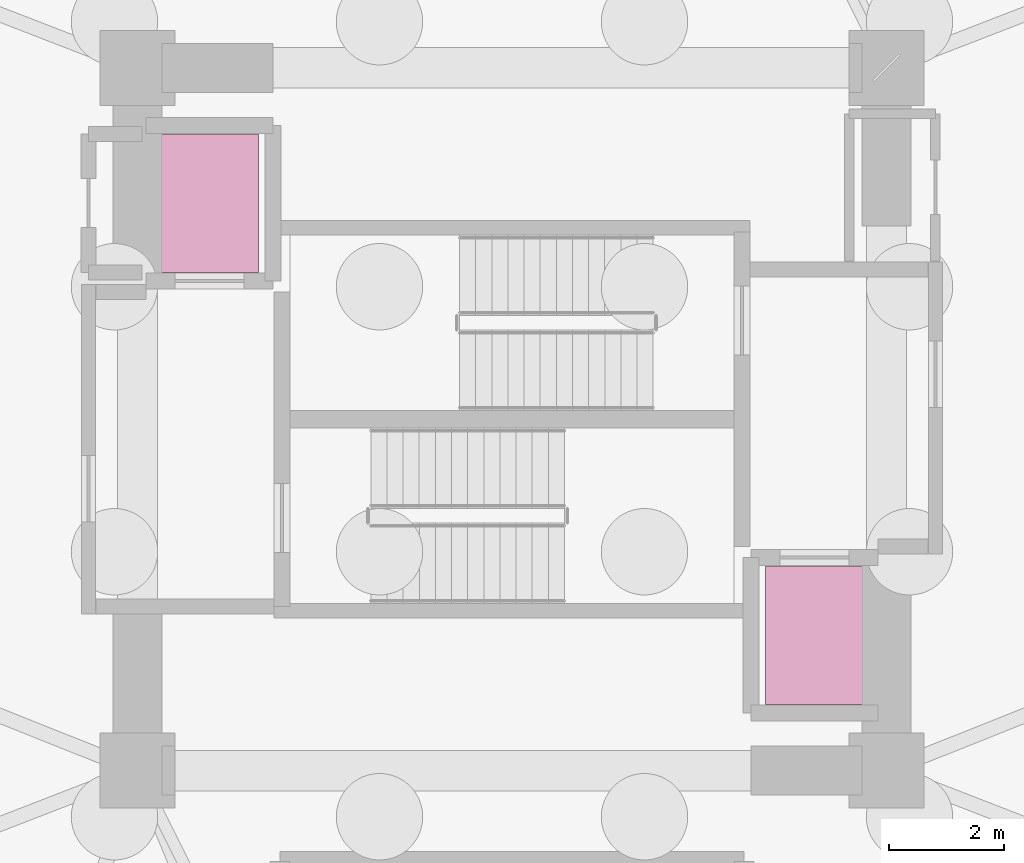
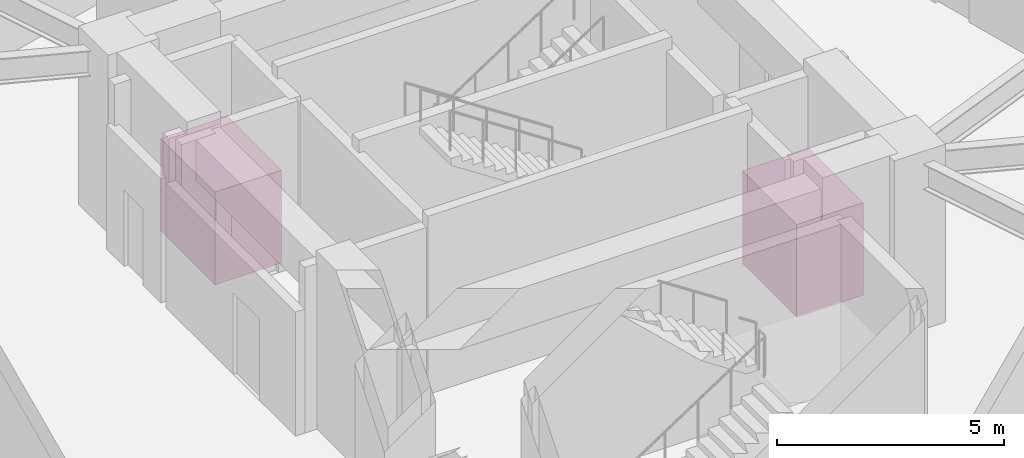
# One storey, part 12 of 12: 2 transport elements.
"""IFC4 building model written with IfcOpenShell, lengths in metres."""

from ifc_helpers import new_model, si_unit, direction, frame, origin, origin_2d, place, context, subcontext, project, spatial, rectangle, extrude, material, type_object, element, save


model = new_model("IFC4")

# Units and contexts
model_context = context("Model", 3, precision=1e-05, world=origin(), true_north=direction((0.0, 1.0)))
body_context = subcontext(model_context, "Body", "Model", "MODEL_VIEW")
ifc_project = project(units=[si_unit("LENGTHUNIT", "METRE"), si_unit("AREAUNIT", "SQUARE_METRE"), si_unit("VOLUMEUNIT", "CUBIC_METRE"), si_unit("PLANEANGLEUNIT", "RADIAN"), si_unit("MASSUNIT", "GRAM", prefix="KILO")], contexts=[model_context])

# Site, building, storey
site_placement = place(None, origin())
site = spatial("IfcSite", under=ifc_project, at=site_placement, CompositionType="ELEMENT")
building_placement = place(site_placement, origin())
building = spatial("IfcBuilding", under=site, at=building_placement, Name="Solvirekh Grand Hotel", CompositionType="ELEMENT")
storey_placement = place(building_placement, frame((0.0, 0.0, -9.60009765625)))
storey = spatial("IfcBuildingStorey", under=building, at=storey_placement, Name="B02", CompositionType="ELEMENT", Elevation=-9.60009765625)

# Transport elements
ifc_material = material(Name="Steel S355", Category="steel")
transport_element_type = type_object("IfcTransportElementType", Name="Lift_Fire_1700X2400", PredefinedType="ELEVATOR", material=ifc_material)
for number, where, z_axis, x_axis, name in (
    (1, (-5.25, 3.75, 0.0), (0.0, 0.0, 1.0), (1.0, 0.0, 0.0), "Firefighting elevator FL-1"),
    (2, (5.25, -3.75, 0.0), (0.0, 0.0, 1.0), (1.0, 0.0, 0.0), "Firefighting elevator FL-2"),
):
    element("IfcTransportElement", number, at=place(storey_placement, frame(where, z_axis=z_axis, x_axis=x_axis)), inside=storey, type_object=transport_element_type, Name=name, PredefinedType="ELEVATOR", context=body_context, shape_type="SweptSolid", body=[
        extrude(rectangle(XDim=1.699951171875, YDim=2.39990234375, at=origin_2d()), origin(), (0.0, 0.0, 1.0), 2.5),
    ])

save(model, "model.ifc")
